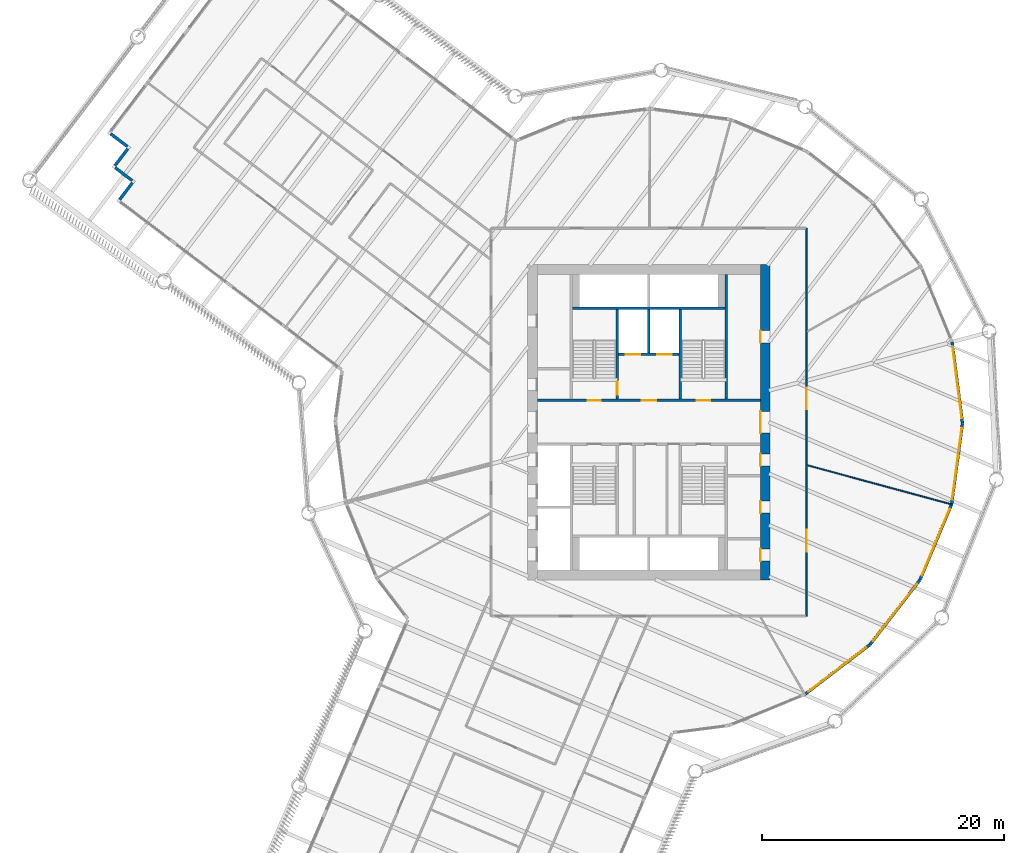
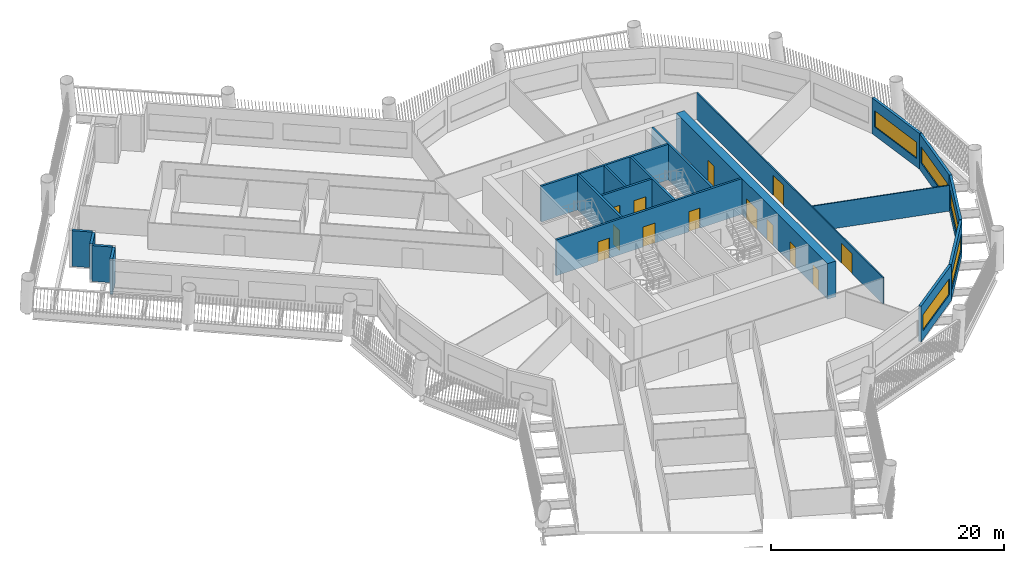
# One storey, part 5 of 16: 19 walls, 13 doors, 5 windows, 18 openings.
"""IFC4 building model written with IfcOpenShell, lengths in metres."""

from ifc_helpers import new_model, si_unit, direction, frame, frame_2d, origin, place, context, subcontext, project, spatial, rectangle, extrude, material, layer, layer_set, type_object, element, fill, save


model = new_model("IFC4")

# Units and contexts
model_context = context("Model", 3, precision=1e-05, world=origin(), true_north=direction((0.0, 1.0)))
body_context = subcontext(model_context, "Body", "Model", "MODEL_VIEW")
ifc_project = project(units=[si_unit("LENGTHUNIT", "METRE"), si_unit("AREAUNIT", "SQUARE_METRE"), si_unit("VOLUMEUNIT", "CUBIC_METRE"), si_unit("PLANEANGLEUNIT", "RADIAN"), si_unit("MASSUNIT", "GRAM", prefix="KILO")], contexts=[model_context])

# Site, building, storey
site_placement = place(None, origin())
site = spatial("IfcSite", under=ifc_project, at=site_placement, CompositionType="ELEMENT")
building_placement = place(site_placement, origin())
building = spatial("IfcBuilding", under=site, at=building_placement, Name="Tarsis Ring Headquarters", CompositionType="ELEMENT")
storey_placement = place(building_placement, frame((0.0, 0.0, 120.10009765625)))
storey = spatial("IfcBuildingStorey", under=building, at=storey_placement, Name="L27", CompositionType="ELEMENT", Elevation=120.10009765625)

# Wall, openings, doors
ifc_material_1 = material(Name="Concrete C60/75", Category="concrete")
ifc_layer_1 = layer(ifc_material_1, 0.800048828125)
ifc_layer_set_1 = layer_set([ifc_layer_1], Name="Core wall 800 C60/75")
wall_type_1 = type_object("IfcWallType", Name="Core wall 800 C60/75", PredefinedType="SHEAR", material=ifc_layer_set_1)
wall_1_placement = place(storey_placement, frame((9.60009765625, -13.0, 0.0), z_axis=(0.0, 0.0, 1.0), x_axis=(0.0, 1.0, 0.0)))
wall_1 = element("IfcWall", 1, at=wall_1_placement, inside=storey, type_object=wall_type_1, Name="Core wall OE", PredefinedType="SHEAR", context=body_context, shape_type="SweptSolid", body=[
    extrude(rectangle(XDim=26.0, YDim=0.800048828125, at=frame_2d((13.0, 0.0))), origin(), (0.0, 0.0, 1.0), 3.739990234375),
])
opening_1_placement = place(wall_1_placement, frame((1.550048828125, 0.0, 0.0)))
opening_1 = element("IfcOpeningElement", 2, at=opening_1_placement, cuts=wall_1, Name="Opening L27-C08", PredefinedType="OPENING", context=body_context, shape_type="SweptSolid", body=[
    extrude(rectangle(XDim=1.0, YDim=2.10009765625, at=frame_2d((0.5, 1.050048828125))), frame((0.0, 0.409912109375, 0.0), z_axis=(0.0, -1.0, 0.0), x_axis=(1.0, 0.0, 0.0)), (0.0, 0.0, 1.0), 0.820068359375),
])
opening_2_placement = place(wall_1_placement, frame((5.5, 0.0, 0.0)))
opening_2 = element("IfcOpeningElement", 3, at=opening_2_placement, cuts=wall_1, Name="Opening L27-C09", PredefinedType="OPENING", context=body_context, shape_type="SweptSolid", body=[
    extrude(rectangle(XDim=1.0, YDim=2.10009765625, at=frame_2d((0.5, 1.050048828125))), frame((0.0, 0.409912109375, 0.0), z_axis=(0.0, -1.0, 0.0), x_axis=(1.0, 0.0, 0.0)), (0.0, 0.0, 1.0), 0.820068359375),
])
opening_3_placement = place(wall_1_placement, frame((9.39990234375, 0.0, 0.0)))
opening_3 = element("IfcOpeningElement", 4, at=opening_3_placement, cuts=wall_1, Name="Opening L27-C10", PredefinedType="OPENING", context=body_context, shape_type="SweptSolid", body=[
    extrude(rectangle(XDim=1.0, YDim=2.10009765625, at=frame_2d((0.5, 1.050048828125))), frame((0.0, 0.409912109375, 0.0), z_axis=(0.0, -1.0, 0.0), x_axis=(1.0, 0.0, 0.0)), (0.0, 0.0, 1.0), 0.820068359375),
])
opening_4_placement = place(wall_1_placement, frame((12.10009765625, 0.0, 0.0)))
opening_4 = element("IfcOpeningElement", 5, at=opening_4_placement, cuts=wall_1, Name="Opening L27-C11", PredefinedType="OPENING", context=body_context, shape_type="SweptSolid", body=[
    extrude(rectangle(XDim=1.800048828125, YDim=2.10009765625, at=frame_2d((0.89990234375, 1.050048828125))), frame((0.0, 0.409912109375, 0.0), z_axis=(0.0, -1.0, 0.0), x_axis=(1.0, 0.0, 0.0)), (0.0, 0.0, 1.0), 0.820068359375),
])
opening_5_placement = place(wall_1_placement, frame((19.550048828125, 0.0, 0.0)))
opening_5 = element("IfcOpeningElement", 6, at=opening_5_placement, cuts=wall_1, Name="Opening L27-C12", PredefinedType="OPENING", context=body_context, shape_type="SweptSolid", body=[
    extrude(rectangle(XDim=1.0, YDim=2.10009765625, at=frame_2d((0.5, 1.050048828125))), frame((0.0, 0.409912109375, 0.0), z_axis=(0.0, -1.0, 0.0), x_axis=(1.0, 0.0, 0.0)), (0.0, 0.0, 1.0), 0.820068359375),
])
ifc_material_2 = material(Name="Steel S355", Category="steel")
door_type_1 = type_object("IfcDoorType", Name="Core entry door 1800x2100", OperationType="DOUBLE_DOOR_SINGLE_SWING", PredefinedType="DOOR", material=ifc_material_2)
door_1_placement = place(opening_4_placement, origin())
door_1 = element("IfcDoor", 7, at=door_1_placement, inside=storey, type_object=door_type_1, Name="Core entry door L27", OperationType="DOUBLE_DOOR_SINGLE_SWING", OverallHeight=2.10009765625, OverallWidth=1.800048828125, PredefinedType="DOOR", context=body_context, shape_type="SweptSolid", body=[
    extrude(rectangle(XDim=1.800048828125, YDim=2.10009765625, at=frame_2d((0.89990234375, 1.050048828125))), frame((0.0, 0.39990234375, 0.0), z_axis=(0.0, -1.0, 0.0), x_axis=(1.0, 0.0, 0.0)), (0.0, 0.0, 1.0), 0.050048828125),
])
fill(opening_4, door_1)
door_type_2 = type_object("IfcDoorType", Name="Core room door 1000x2100", OperationType="SINGLE_SWING_LEFT", PredefinedType="DOOR", material=ifc_material_2)
door_2_placement = place(opening_1_placement, origin())
door_2 = element("IfcDoor", 8, at=door_2_placement, inside=storey, type_object=door_type_2, Name="Core room door L27", OperationType="SINGLE_SWING_LEFT", OverallHeight=2.10009765625, OverallWidth=1.0, PredefinedType="DOOR", context=body_context, shape_type="SweptSolid", body=[
    extrude(rectangle(XDim=1.0, YDim=2.10009765625, at=frame_2d((0.5, 1.050048828125))), frame((0.0, 0.39990234375, 0.0), z_axis=(0.0, -1.0, 0.0), x_axis=(1.0, 0.0, 0.0)), (0.0, 0.0, 1.0), 0.050048828125),
])
fill(opening_1, door_2)
door_3_placement = place(opening_2_placement, origin())
door_3 = element("IfcDoor", 9, at=door_3_placement, inside=storey, type_object=door_type_2, Name="Core room door L27", OperationType="SINGLE_SWING_LEFT", OverallHeight=2.10009765625, OverallWidth=1.0, PredefinedType="DOOR", context=body_context, shape_type="SweptSolid", body=[
    extrude(rectangle(XDim=1.0, YDim=2.10009765625, at=frame_2d((0.5, 1.050048828125))), frame((0.0, 0.39990234375, 0.0), z_axis=(0.0, -1.0, 0.0), x_axis=(1.0, 0.0, 0.0)), (0.0, 0.0, 1.0), 0.050048828125),
])
fill(opening_2, door_3)
door_4_placement = place(opening_3_placement, origin())
door_4 = element("IfcDoor", 10, at=door_4_placement, inside=storey, type_object=door_type_2, Name="Core room door L27", OperationType="SINGLE_SWING_LEFT", OverallHeight=2.10009765625, OverallWidth=1.0, PredefinedType="DOOR", context=body_context, shape_type="SweptSolid", body=[
    extrude(rectangle(XDim=1.0, YDim=2.10009765625, at=frame_2d((0.5, 1.050048828125))), frame((0.0, 0.39990234375, 0.0), z_axis=(0.0, -1.0, 0.0), x_axis=(1.0, 0.0, 0.0)), (0.0, 0.0, 1.0), 0.050048828125),
])
fill(opening_3, door_4)
door_5_placement = place(opening_5_placement, origin())
door_5 = element("IfcDoor", 11, at=door_5_placement, inside=storey, type_object=door_type_2, Name="Core room door L27", OperationType="SINGLE_SWING_LEFT", OverallHeight=2.10009765625, OverallWidth=1.0, PredefinedType="DOOR", context=body_context, shape_type="SweptSolid", body=[
    extrude(rectangle(XDim=1.0, YDim=2.10009765625, at=frame_2d((0.5, 1.050048828125))), frame((0.0, 0.39990234375, 0.0), z_axis=(0.0, -1.0, 0.0), x_axis=(1.0, 0.0, 0.0)), (0.0, 0.0, 1.0), 0.050048828125),
])
fill(opening_5, door_5)

# Wall
ifc_material_3 = material(Name="Gypsum board on steel studs", Category="steel")
ifc_layer_2 = layer(ifc_material_3, 0.10009765625)
ifc_layer_set_2 = layer_set([ifc_layer_2], Name="FL partition 100 unrated")
wall_type_2 = type_object("IfcWallType", Name="FL partition 100 unrated", PredefinedType="PARTITIONING", material=ifc_layer_set_2)
wall_2_placement = place(storey_placement, frame((13.067626953125, -3.54541015625, 0.0), z_axis=(0.0, 0.0, 1.0), x_axis=(0.965107633308, -0.261853501276, 0.0)))
element("IfcWall", 12, at=wall_2_placement, inside=storey, type_object=wall_type_2, Name="Partition PW3", PredefinedType="PARTITIONING", context=body_context, shape_type="SweptSolid", body=[
    extrude(rectangle(XDim=12.40771484375, YDim=0.10009765625, at=frame_2d((6.203857421875, 0.0))), origin(), (0.0, 0.0, 1.0), 2.699951171875),
])

# Wall, openings, doors
ifc_layer_3 = layer(ifc_material_3, 0.125)
ifc_layer_set_3 = layer_set([ifc_layer_3], Name="FL partition 125 EI 60 H2770")
wall_type_3 = type_object("IfcWallType", Name="FL partition 125 EI 60 H2770", PredefinedType="PARTITIONING", material=ifc_layer_set_3)
wall_3_placement = place(storey_placement, frame((13.0, -16.0, 0.0), z_axis=(0.0, 0.0, 1.0), x_axis=(0.0, 1.0, 0.0)))
wall_3 = element("IfcWall", 13, at=wall_3_placement, inside=storey, type_object=wall_type_3, Name="Partition PW1", PredefinedType="PARTITIONING", context=body_context, shape_type="SweptSolid", body=[
    extrude(rectangle(XDim=32.0, YDim=0.125, at=frame_2d((16.0, 0.0))), origin(), (0.0, 0.0, 1.0), 2.77001953125),
])
opening_6_placement = place(wall_3_placement, frame((17.06201171875, 0.0, 0.0)))
opening_6 = element("IfcOpeningElement", 14, at=opening_6_placement, cuts=wall_3, Name="Opening D27.07", PredefinedType="OPENING", context=body_context, shape_type="SweptSolid", body=[
    extrude(rectangle(XDim=1.800048828125, YDim=2.10009765625, at=frame_2d((0.89990234375, 1.050048828125))), frame((0.0, 0.072509765625, 0.0), z_axis=(0.0, -1.0, 0.0), x_axis=(1.0, 0.0, 0.0)), (0.0, 0.0, 1.0), 0.14501953125),
])
opening_7_placement = place(wall_3_placement, frame((5.33642578125, 0.0, 0.0)))
opening_7 = element("IfcOpeningElement", 15, at=opening_7_placement, cuts=wall_3, Name="Opening D27.08", PredefinedType="OPENING", context=body_context, shape_type="SweptSolid", body=[
    extrude(rectangle(XDim=1.800048828125, YDim=2.10009765625, at=frame_2d((0.89990234375, 1.050048828125))), frame((0.0, 0.072509765625, 0.0), z_axis=(0.0, -1.0, 0.0), x_axis=(1.0, 0.0, 0.0)), (0.0, 0.0, 1.0), 0.14501953125),
])
ifc_material_4 = material(Name="Fire-rated timber door leaf in steel frame", Category="steel")
door_type_3 = type_object("IfcDoorType", Name="FL door FD60-1800", OperationType="DOUBLE_DOOR_SINGLE_SWING", PredefinedType="DOOR", material=ifc_material_4)
door_6_placement = place(opening_6_placement, origin())
door_6 = element("IfcDoor", 16, at=door_6_placement, inside=storey, type_object=door_type_3, Name="Door D27.07", OperationType="DOUBLE_DOOR_SINGLE_SWING", OverallHeight=2.10009765625, OverallWidth=1.800048828125, PredefinedType="DOOR", context=body_context, shape_type="SweptSolid", body=[
    extrude(rectangle(XDim=1.800048828125, YDim=2.10009765625, at=frame_2d((0.89990234375, 1.050048828125))), frame((0.0, 0.02490234375, 0.0), z_axis=(0.0, -1.0, 0.0), x_axis=(1.0, 0.0, 0.0)), (0.0, 0.0, 1.0), 0.050048828125),
])
fill(opening_6, door_6)
door_7_placement = place(opening_7_placement, origin())
door_7 = element("IfcDoor", 17, at=door_7_placement, inside=storey, type_object=door_type_3, Name="Door D27.08", OperationType="DOUBLE_DOOR_SINGLE_SWING", OverallHeight=2.10009765625, OverallWidth=1.800048828125, PredefinedType="DOOR", context=body_context, shape_type="SweptSolid", body=[
    extrude(rectangle(XDim=1.800048828125, YDim=2.10009765625, at=frame_2d((0.89990234375, 1.050048828125))), frame((0.0, 0.02490234375, 0.0), z_axis=(0.0, -1.0, 0.0), x_axis=(1.0, 0.0, 0.0)), (0.0, 0.0, 1.0), 0.050048828125),
])
fill(opening_7, door_7)

# Wall, opening, window
ifc_material_5 = material(Name="Terracotta clad insulated panel wall", Category="masonry")
ifc_layer_4 = layer(ifc_material_5, 0.25)
ifc_layer_set_4 = layer_set([ifc_layer_4], Name="Facade wall terracotta panel 250")
wall_type_4 = type_object("IfcWallType", Name="Facade wall terracotta panel 250", PredefinedType="STANDARD", material=ifc_layer_set_4)
wall_4_placement = place(storey_placement, frame((12.879638671875, -22.43798828125, 0.0), z_axis=(0.0, 0.0, 1.0), x_axis=(0.79525908766, 0.606269728334, 0.0)))
wall_4 = element("IfcWall", 18, at=wall_4_placement, inside=storey, type_object=wall_type_4, Name="External wall L27-19", PredefinedType="STANDARD", context=body_context, shape_type="SweptSolid", body=[
    extrude(rectangle(XDim=6.721435546875, YDim=0.25, at=frame_2d((3.36083984375, 0.0))), origin(), (0.0, 0.0, 1.0), 3.739990234375),
])
opening_8_placement = place(wall_4_placement, frame((0.3857421875, 0.0, 0.89990234375)))
opening_8 = element("IfcOpeningElement", 19, at=opening_8_placement, cuts=wall_4, Name="Opening WN07", PredefinedType="OPENING", context=body_context, shape_type="SweptSolid", body=[
    extrude(rectangle(XDim=5.949951171875, YDim=1.699951171875, at=frame_2d((2.97509765625, 0.85009765625))), frame((0.0, 0.135009765625, 0.0), z_axis=(0.0, -1.0, 0.0), x_axis=(1.0, 0.0, 0.0)), (0.0, 0.0, 1.0), 0.27001953125),
])
ifc_material_6 = material(Name="Aluminium framed double glazing", Category="aluminium")
window_type = type_object("IfcWindowType", Name="Facade window 5950 x 1700", PartitioningType="SINGLE_PANEL", PredefinedType="WINDOW", material=ifc_material_6)
window_1_placement = place(opening_8_placement, origin())
window_1 = element("IfcWindow", 20, at=window_1_placement, inside=storey, type_object=window_type, Name="Window L27-19.1", OverallHeight=1.699951171875, OverallWidth=5.949951171875, PartitioningType="SINGLE_PANEL", PredefinedType="WINDOW", context=body_context, shape_type="SweptSolid", body=[
    extrude(rectangle(XDim=5.949951171875, YDim=1.699951171875, at=frame_2d((2.97509765625, 0.85009765625))), frame((0.0, 0.030029296875, 0.0), z_axis=(0.0, -1.0, 0.0), x_axis=(1.0, 0.0, 0.0)), (0.0, 0.0, 1.0), 0.06005859375),
])
fill(opening_8, window_1)

wall_5_placement = place(storey_placement, frame((18.248046875, -18.340087890625, 0.0), z_axis=(0.0, 0.0, 1.0), x_axis=(0.611249007545, 0.791438343003, 0.0)))
wall_5 = element("IfcWall", 21, at=wall_5_placement, inside=storey, type_object=wall_type_4, Name="External wall L27-20", PredefinedType="STANDARD", context=body_context, shape_type="SweptSolid", body=[
    extrude(rectangle(XDim=6.7216796875, YDim=0.25, at=frame_2d((3.36083984375, 0.0))), origin(), (0.0, 0.0, 1.0), 3.739990234375),
])
opening_9_placement = place(wall_5_placement, frame((0.3857421875, 0.0, 0.89990234375)))
opening_9 = element("IfcOpeningElement", 22, at=opening_9_placement, cuts=wall_5, Name="Opening WN07", PredefinedType="OPENING", context=body_context, shape_type="SweptSolid", body=[
    extrude(rectangle(XDim=5.949951171875, YDim=1.699951171875, at=frame_2d((2.97509765625, 0.85009765625))), frame((0.0, 0.135009765625, 0.0), z_axis=(0.0, -1.0, 0.0), x_axis=(1.0, 0.0, 0.0)), (0.0, 0.0, 1.0), 0.27001953125),
])
window_2_placement = place(opening_9_placement, origin())
window_2 = element("IfcWindow", 23, at=window_2_placement, inside=storey, type_object=window_type, Name="Window L27-20.1", OverallHeight=1.699951171875, OverallWidth=5.949951171875, PartitioningType="SINGLE_PANEL", PredefinedType="WINDOW", context=body_context, shape_type="SweptSolid", body=[
    extrude(rectangle(XDim=5.949951171875, YDim=1.699951171875, at=frame_2d((2.97509765625, 0.85009765625))), frame((0.0, 0.030029296875, 0.0), z_axis=(0.0, -1.0, 0.0), x_axis=(1.0, 0.0, 0.0)), (0.0, 0.0, 1.0), 0.06005859375),
])
fill(opening_9, window_2)

wall_6_placement = place(storey_placement, frame((22.373046875, -12.9921875, 0.0), z_axis=(0.0, 0.0, 1.0), x_axis=(0.38558746589, 0.922671288243, 0.0)))
wall_6 = element("IfcWall", 24, at=wall_6_placement, inside=storey, type_object=wall_type_4, Name="External wall L27-21", PredefinedType="STANDARD", context=body_context, shape_type="SweptSolid", body=[
    extrude(rectangle(XDim=6.7216796875, YDim=0.25, at=frame_2d((3.36083984375, 0.0))), origin(), (0.0, 0.0, 1.0), 3.739990234375),
])
opening_10_placement = place(wall_6_placement, frame((0.3857421875, 0.0, 0.89990234375)))
opening_10 = element("IfcOpeningElement", 25, at=opening_10_placement, cuts=wall_6, Name="Opening WN07", PredefinedType="OPENING", context=body_context, shape_type="SweptSolid", body=[
    extrude(rectangle(XDim=5.949951171875, YDim=1.699951171875, at=frame_2d((2.97509765625, 0.85009765625))), frame((0.0, 0.135009765625, 0.0), z_axis=(0.0, -1.0, 0.0), x_axis=(1.0, 0.0, 0.0)), (0.0, 0.0, 1.0), 0.27001953125),
])
window_3_placement = place(opening_10_placement, origin())
window_3 = element("IfcWindow", 26, at=window_3_placement, inside=storey, type_object=window_type, Name="Window L27-21.1", OverallHeight=1.699951171875, OverallWidth=5.949951171875, PartitioningType="SINGLE_PANEL", PredefinedType="WINDOW", context=body_context, shape_type="SweptSolid", body=[
    extrude(rectangle(XDim=5.949951171875, YDim=1.699951171875, at=frame_2d((2.97509765625, 0.85009765625))), frame((0.0, 0.030029296875, 0.0), z_axis=(0.0, -1.0, 0.0), x_axis=(1.0, 0.0, 0.0)), (0.0, 0.0, 1.0), 0.06005859375),
])
fill(opening_10, window_3)

wall_7_placement = place(storey_placement, frame((24.973388671875, -6.7587890625, 0.0), z_axis=(0.0, 0.0, 1.0), x_axis=(0.133631555281, 0.99103108298, 0.0)))
wall_7 = element("IfcWall", 27, at=wall_7_placement, inside=storey, type_object=wall_type_4, Name="External wall L27-22", PredefinedType="STANDARD", context=body_context, shape_type="SweptSolid", body=[
    extrude(rectangle(XDim=6.721435546875, YDim=0.25, at=frame_2d((3.36083984375, 0.0))), origin(), (0.0, 0.0, 1.0), 3.739990234375),
])
opening_11_placement = place(wall_7_placement, frame((0.3857421875, 0.0, 0.89990234375)))
opening_11 = element("IfcOpeningElement", 28, at=opening_11_placement, cuts=wall_7, Name="Opening WN07", PredefinedType="OPENING", context=body_context, shape_type="SweptSolid", body=[
    extrude(rectangle(XDim=5.949951171875, YDim=1.699951171875, at=frame_2d((2.97509765625, 0.85009765625))), frame((0.0, 0.135009765625, 0.0), z_axis=(0.0, -1.0, 0.0), x_axis=(1.0, 0.0, 0.0)), (0.0, 0.0, 1.0), 0.27001953125),
])
window_4_placement = place(opening_11_placement, origin())
window_4 = element("IfcWindow", 29, at=window_4_placement, inside=storey, type_object=window_type, Name="Window L27-22.1", OverallHeight=1.699951171875, OverallWidth=5.949951171875, PartitioningType="SINGLE_PANEL", PredefinedType="WINDOW", context=body_context, shape_type="SweptSolid", body=[
    extrude(rectangle(XDim=5.949951171875, YDim=1.699951171875, at=frame_2d((2.97509765625, 0.85009765625))), frame((0.0, 0.030029296875, 0.0), z_axis=(0.0, -1.0, 0.0), x_axis=(1.0, 0.0, 0.0)), (0.0, 0.0, 1.0), 0.06005859375),
])
fill(opening_11, window_4)

wall_8_placement = place(storey_placement, frame((25.87158203125, -0.06494140625, 0.0), z_axis=(0.0, 0.0, 1.0), x_axis=(-0.127382387818, 0.991853682392, 0.0)))
wall_8 = element("IfcWall", 30, at=wall_8_placement, inside=storey, type_object=wall_type_4, Name="External wall L27-23", PredefinedType="STANDARD", context=body_context, shape_type="SweptSolid", body=[
    extrude(rectangle(XDim=6.721435546875, YDim=0.25, at=frame_2d((3.36083984375, 0.0))), origin(), (0.0, 0.0, 1.0), 3.739990234375),
])
opening_12_placement = place(wall_8_placement, frame((0.3857421875, 0.0, 0.89990234375)))
opening_12 = element("IfcOpeningElement", 31, at=opening_12_placement, cuts=wall_8, Name="Opening WN07", PredefinedType="OPENING", context=body_context, shape_type="SweptSolid", body=[
    extrude(rectangle(XDim=5.949951171875, YDim=1.699951171875, at=frame_2d((2.97509765625, 0.85009765625))), frame((0.0, 0.135009765625, 0.0), z_axis=(0.0, -1.0, 0.0), x_axis=(1.0, 0.0, 0.0)), (0.0, 0.0, 1.0), 0.27001953125),
])
window_5_placement = place(opening_12_placement, origin())
window_5 = element("IfcWindow", 32, at=window_5_placement, inside=storey, type_object=window_type, Name="Window L27-23.1", OverallHeight=1.699951171875, OverallWidth=5.949951171875, PartitioningType="SINGLE_PANEL", PredefinedType="WINDOW", context=body_context, shape_type="SweptSolid", body=[
    extrude(rectangle(XDim=5.949951171875, YDim=1.699951171875, at=frame_2d((2.97509765625, 0.85009765625))), frame((0.0, 0.030029296875, 0.0), z_axis=(0.0, -1.0, 0.0), x_axis=(1.0, 0.0, 0.0)), (0.0, 0.0, 1.0), 0.06005859375),
])
fill(opening_12, window_5)

# Walls
for number, where, z_axis, x_axis, name in (
    (33, (-44.39697265625, 23.79052734375, 0.0), (0.0, 0.0, 1.0), (0.796790871116, -0.604255167712, 0.0), "External wall L27-37"),
    (34, (-42.978515625, 22.557861328125, 0.0), (0.0, 0.0, 1.0), (-0.604343733495, -0.796723698521, 0.0), "External wall L27-38"),
    (35, (-44.011962890625, 20.988525390625, 0.0), (0.0, 0.0, 1.0), (0.796723698521, -0.604343733495, 0.0), "External wall L27-39"),
    (36, (-42.59375, 19.755859375, 0.0), (0.0, 0.0, 1.0), (-0.604343733495, -0.796723698521, 0.0), "External wall L27-40"),
):
    element("IfcWall", number, at=place(storey_placement, frame(where, z_axis=z_axis, x_axis=x_axis)), inside=storey, type_object=wall_type_4, Name=name, PredefinedType="STANDARD", context=body_context, shape_type="SweptSolid", body=[
        extrude(rectangle(XDim=1.75, YDim=0.25, at=frame_2d((0.875, 0.0))), origin(), (0.0, 0.0, 1.0), 3.739990234375),
    ])

# Wall, openings, doors
ifc_material_7 = material(Name="Concrete C32/40", Category="concrete")
ifc_layer_5 = layer(ifc_material_7, 0.199951171875)
ifc_layer_set_5 = layer_set([ifc_layer_5], Name="Shaft wall 200 C32/40")
wall_type_5 = type_object("IfcWallType", Name="Shaft wall 200 C32/40", PredefinedType="SOLIDWALL", material=ifc_layer_set_5)
wall_9_placement = place(storey_placement, frame((-9.199951171875, 1.800048828125, 0.0), z_axis=(0.0, 0.0, 1.0), x_axis=(1.0, 0.0, 0.0)))
wall_9 = element("IfcWall", 37, at=wall_9_placement, inside=storey, type_object=wall_type_5, Name="Core shaft wall CN", PredefinedType="SOLIDWALL", context=body_context, shape_type="SweptSolid", body=[
    extrude(rectangle(XDim=18.39990234375, YDim=0.199951171875, at=frame_2d((9.199951171875, 0.0))), origin(), (0.0, 0.0, 1.0), 3.739990234375),
])
opening_13_placement = place(wall_9_placement, frame((4.14990234375, 0.0, 0.0)))
opening_13 = element("IfcOpeningElement", 38, at=opening_13_placement, cuts=wall_9, Name="Opening L27-C13", PredefinedType="OPENING", context=body_context, shape_type="SweptSolid", body=[
    extrude(rectangle(XDim=1.10009765625, YDim=2.10009765625, at=frame_2d((0.550048828125, 1.050048828125))), frame((0.0, 0.10986328125, 0.0), z_axis=(0.0, -1.0, 0.0), x_axis=(1.0, 0.0, 0.0)), (0.0, 0.0, 1.0), 0.219970703125),
])
opening_14_placement = place(wall_9_placement, frame((8.60009765625, 0.0, 0.0)))
opening_14 = element("IfcOpeningElement", 39, at=opening_14_placement, cuts=wall_9, Name="Opening L27-C14", PredefinedType="OPENING", context=body_context, shape_type="SweptSolid", body=[
    extrude(rectangle(XDim=1.199951171875, YDim=2.10009765625, at=frame_2d((0.60009765625, 1.050048828125))), frame((0.0, 0.10986328125, 0.0), z_axis=(0.0, -1.0, 0.0), x_axis=(1.0, 0.0, 0.0)), (0.0, 0.0, 1.0), 0.219970703125),
])
opening_15_placement = place(wall_9_placement, frame((13.14990234375, 0.0, 0.0)))
opening_15 = element("IfcOpeningElement", 40, at=opening_15_placement, cuts=wall_9, Name="Opening L27-C15", PredefinedType="OPENING", context=body_context, shape_type="SweptSolid", body=[
    extrude(rectangle(XDim=1.10009765625, YDim=2.10009765625, at=frame_2d((0.550048828125, 1.050048828125))), frame((0.0, 0.10986328125, 0.0), z_axis=(0.0, -1.0, 0.0), x_axis=(1.0, 0.0, 0.0)), (0.0, 0.0, 1.0), 0.219970703125),
])
door_type_4 = type_object("IfcDoorType", Name="Firefighting lobby door 1200x2100", OperationType="DOUBLE_DOOR_SINGLE_SWING", PredefinedType="DOOR", material=ifc_material_2)
door_8_placement = place(opening_14_placement, origin())
door_8 = element("IfcDoor", 41, at=door_8_placement, inside=storey, type_object=door_type_4, Name="Firefighting lobby door L27", OperationType="DOUBLE_DOOR_SINGLE_SWING", OverallHeight=2.10009765625, OverallWidth=1.199951171875, PredefinedType="DOOR", context=body_context, shape_type="SweptSolid", body=[
    extrude(rectangle(XDim=1.199951171875, YDim=2.10009765625, at=frame_2d((0.60009765625, 1.050048828125))), frame((0.0, 0.02490234375, 0.0), z_axis=(0.0, -1.0, 0.0), x_axis=(1.0, 0.0, 0.0)), (0.0, 0.0, 1.0), 0.050048828125),
])
fill(opening_14, door_8)
door_type_5 = type_object("IfcDoorType", Name="Stair door 1100x2100", OperationType="SINGLE_SWING_LEFT", PredefinedType="DOOR", material=ifc_material_2)
door_9_placement = place(opening_13_placement, origin())
door_9 = element("IfcDoor", 42, at=door_9_placement, inside=storey, type_object=door_type_5, Name="Stair door L27", OperationType="SINGLE_SWING_LEFT", OverallHeight=2.10009765625, OverallWidth=1.10009765625, PredefinedType="DOOR", context=body_context, shape_type="SweptSolid", body=[
    extrude(rectangle(XDim=1.10009765625, YDim=2.10009765625, at=frame_2d((0.550048828125, 1.050048828125))), frame((0.0, 0.02490234375, 0.0), z_axis=(0.0, -1.0, 0.0), x_axis=(1.0, 0.0, 0.0)), (0.0, 0.0, 1.0), 0.050048828125),
])
fill(opening_13, door_9)
door_10_placement = place(opening_15_placement, origin())
door_10 = element("IfcDoor", 43, at=door_10_placement, inside=storey, type_object=door_type_5, Name="Stair door L27", OperationType="SINGLE_SWING_LEFT", OverallHeight=2.10009765625, OverallWidth=1.10009765625, PredefinedType="DOOR", context=body_context, shape_type="SweptSolid", body=[
    extrude(rectangle(XDim=1.10009765625, YDim=2.10009765625, at=frame_2d((0.550048828125, 1.050048828125))), frame((0.0, 0.02490234375, 0.0), z_axis=(0.0, -1.0, 0.0), x_axis=(1.0, 0.0, 0.0)), (0.0, 0.0, 1.0), 0.050048828125),
])
fill(opening_15, door_10)

# Walls
wall_10_placement = place(storey_placement, frame((6.39990234375, 1.89990234375, 0.0), z_axis=(0.0, 0.0, 1.0), x_axis=(0.0, 1.0, 0.0)))
element("IfcWall", 44, at=wall_10_placement, inside=storey, type_object=wall_type_5, Name="Core shaft wall EB2", PredefinedType="SOLIDWALL", context=body_context, shape_type="SweptSolid", body=[
    extrude(rectangle(XDim=10.300048828125, YDim=0.199951171875, at=frame_2d((5.14990234375, 0.0))), origin(), (0.0, 0.0, 1.0), 3.739990234375),
])
wall_11_placement = place(storey_placement, frame((-6.300048828125, 9.39990234375, 0.0), z_axis=(0.0, 0.0, 1.0), x_axis=(1.0, 0.0, 0.0)))
element("IfcWall", 45, at=wall_11_placement, inside=storey, type_object=wall_type_5, Name="Core shaft wall NB", PredefinedType="SOLIDWALL", context=body_context, shape_type="SweptSolid", body=[
    extrude(rectangle(XDim=12.60009765625, YDim=0.199951171875, at=frame_2d((6.300048828125, 0.0))), origin(), (0.0, 0.0, 1.0), 3.739990234375),
])

# Wall, opening, door
wall_12_placement = place(storey_placement, frame((-2.60009765625, 1.89990234375, 0.0), z_axis=(0.0, 0.0, 1.0), x_axis=(0.0, 1.0, 0.0)))
wall_12 = element("IfcWall", 46, at=wall_12_placement, inside=storey, type_object=wall_type_5, Name="Core shaft wall SW1", PredefinedType="SOLIDWALL", context=body_context, shape_type="SweptSolid", body=[
    extrude(rectangle(XDim=7.400146484375, YDim=0.199951171875, at=frame_2d((3.7001953125, 0.0))), origin(), (0.0, 0.0, 1.0), 3.739990234375),
])
opening_16_placement = place(wall_12_placement, frame((0.35009765625, 0.0, 0.0)))
opening_16 = element("IfcOpeningElement", 47, at=opening_16_placement, cuts=wall_12, Name="Opening L27-C21", PredefinedType="OPENING", context=body_context, shape_type="SweptSolid", body=[
    extrude(rectangle(XDim=1.10009765625, YDim=2.10009765625, at=frame_2d((0.550048828125, 1.050048828125))), frame((0.0, 0.10986328125, 0.0), z_axis=(0.0, -1.0, 0.0), x_axis=(1.0, 0.0, 0.0)), (0.0, 0.0, 1.0), 0.219970703125),
])
door_11_placement = place(opening_16_placement, origin())
door_11 = element("IfcDoor", 48, at=door_11_placement, inside=storey, type_object=door_type_5, Name="Stair door L27", OperationType="SINGLE_SWING_LEFT", OverallHeight=2.10009765625, OverallWidth=1.10009765625, PredefinedType="DOOR", context=body_context, shape_type="SweptSolid", body=[
    extrude(rectangle(XDim=1.10009765625, YDim=2.10009765625, at=frame_2d((0.550048828125, 1.050048828125))), frame((0.0, 0.02490234375, 0.0), z_axis=(0.0, -1.0, 0.0), x_axis=(1.0, 0.0, 0.0)), (0.0, 0.0, 1.0), 0.050048828125),
])
fill(opening_16, door_11)

# Wall
wall_13_placement = place(storey_placement, frame((2.60009765625, 1.89990234375, 0.0), z_axis=(0.0, 0.0, 1.0), x_axis=(0.0, 1.0, 0.0)))
element("IfcWall", 49, at=wall_13_placement, inside=storey, type_object=wall_type_5, Name="Core shaft wall SW2", PredefinedType="SOLIDWALL", context=body_context, shape_type="SweptSolid", body=[
    extrude(rectangle(XDim=7.400146484375, YDim=0.199951171875, at=frame_2d((3.7001953125, 0.0))), origin(), (0.0, 0.0, 1.0), 3.739990234375),
])

# Wall, openings, doors
wall_14_placement = place(storey_placement, frame((-2.5, 5.60009765625, 0.0), z_axis=(0.0, 0.0, 1.0), x_axis=(1.0, 0.0, 0.0)))
wall_14 = element("IfcWall", 50, at=wall_14_placement, inside=storey, type_object=wall_type_5, Name="Core shaft wall FFN", PredefinedType="SOLIDWALL", context=body_context, shape_type="SweptSolid", body=[
    extrude(rectangle(XDim=5.0, YDim=0.199951171875, at=frame_2d((2.5, 0.0))), origin(), (0.0, 0.0, 1.0), 3.739990234375),
])
opening_17_placement = place(wall_14_placement, frame((0.60009765625, 0.0, 0.0)))
opening_17 = element("IfcOpeningElement", 51, at=opening_17_placement, cuts=wall_14, Name="Opening LDF-1", PredefinedType="OPENING", context=body_context, shape_type="SweptSolid", body=[
    extrude(rectangle(XDim=1.199951171875, YDim=2.10009765625, at=frame_2d((0.60009765625, 1.050048828125))), frame((0.0, 0.10986328125, 0.0), z_axis=(0.0, -1.0, 0.0), x_axis=(1.0, 0.0, 0.0)), (0.0, 0.0, 1.0), 0.219970703125),
])
opening_18_placement = place(wall_14_placement, frame((3.199951171875, 0.0, 0.0)))
opening_18 = element("IfcOpeningElement", 52, at=opening_18_placement, cuts=wall_14, Name="Opening LDF-2", PredefinedType="OPENING", context=body_context, shape_type="SweptSolid", body=[
    extrude(rectangle(XDim=1.199951171875, YDim=2.10009765625, at=frame_2d((0.60009765625, 1.050048828125))), frame((0.0, 0.10986328125, 0.0), z_axis=(0.0, -1.0, 0.0), x_axis=(1.0, 0.0, 0.0)), (0.0, 0.0, 1.0), 0.219970703125),
])
door_type_6 = type_object("IfcDoorType", Name="Firefighting landing door 1200x2100", OperationType="SLIDING_TO_LEFT", PredefinedType="DOOR", material=ifc_material_2)
door_12_placement = place(opening_17_placement, origin())
door_12 = element("IfcDoor", 53, at=door_12_placement, inside=storey, type_object=door_type_6, Name="Landing door FF1 L27", OperationType="SLIDING_TO_LEFT", OverallHeight=2.10009765625, OverallWidth=1.199951171875, PredefinedType="DOOR", context=body_context, shape_type="SweptSolid", body=[
    extrude(rectangle(XDim=1.199951171875, YDim=2.10009765625, at=frame_2d((0.60009765625, 1.050048828125))), frame((0.0, 0.02490234375, 0.0), z_axis=(0.0, -1.0, 0.0), x_axis=(1.0, 0.0, 0.0)), (0.0, 0.0, 1.0), 0.050048828125),
])
fill(opening_17, door_12)
door_13_placement = place(opening_18_placement, origin())
door_13 = element("IfcDoor", 54, at=door_13_placement, inside=storey, type_object=door_type_6, Name="Landing door FF2 L27", OperationType="SLIDING_TO_LEFT", OverallHeight=2.10009765625, OverallWidth=1.199951171875, PredefinedType="DOOR", context=body_context, shape_type="SweptSolid", body=[
    extrude(rectangle(XDim=1.199951171875, YDim=2.10009765625, at=frame_2d((0.60009765625, 1.050048828125))), frame((0.0, 0.02490234375, 0.0), z_axis=(0.0, -1.0, 0.0), x_axis=(1.0, 0.0, 0.0)), (0.0, 0.0, 1.0), 0.050048828125),
])
fill(opening_18, door_13)

# Wall
wall_15_placement = place(storey_placement, frame((0.0, 5.699951171875, 0.0), z_axis=(0.0, 0.0, 1.0), x_axis=(0.0, 1.0, 0.0)))
element("IfcWall", 55, at=wall_15_placement, inside=storey, type_object=wall_type_5, Name="Core shaft wall FFD", PredefinedType="SOLIDWALL", context=body_context, shape_type="SweptSolid", body=[
    extrude(rectangle(XDim=3.60009765625, YDim=0.199951171875, at=frame_2d((1.800048828125, 0.0))), origin(), (0.0, 0.0, 1.0), 3.739990234375),
])

save(model, "model.ifc")
